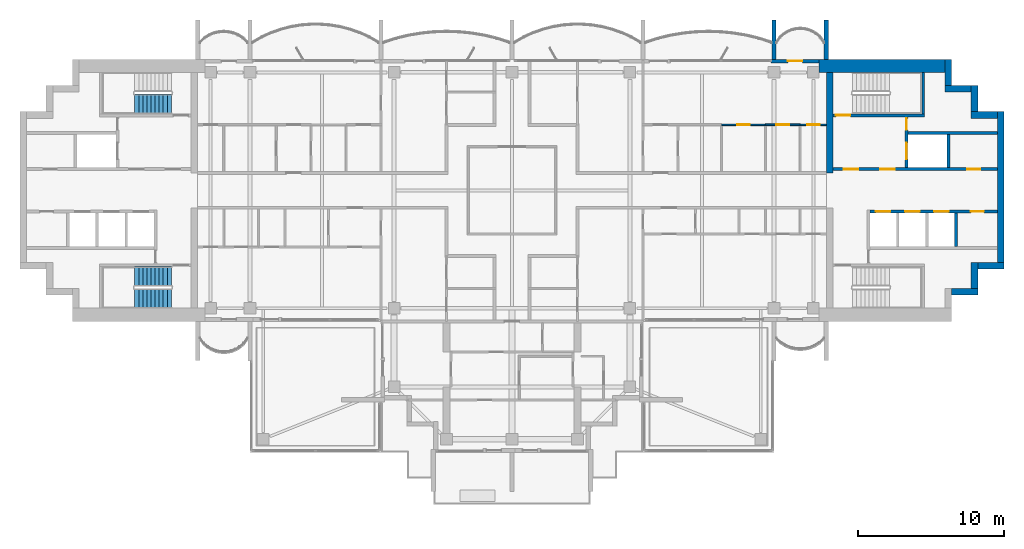
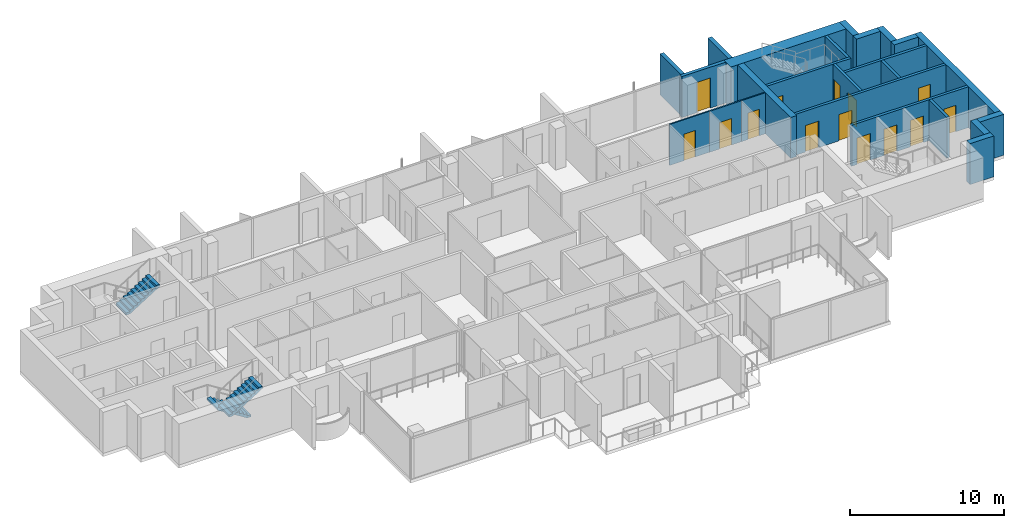
# One storey, part 11 of 16: 24 walls, 14 doors, 3 stair flights, 14 openings, 2 elements without a shape of their own.
"""IFC4 building model written with IfcOpenShell, lengths in metres."""

from ifc_helpers import new_model, si_unit, direction, frame, frame_2d, origin, place, context, subcontext, project, spatial, polyline, rectangle, outline, extrude, material, layer, layer_set, type_object, element, fill, aggregate, save


model = new_model("IFC4")

# Units and contexts
model_context = context("Model", 3, precision=1e-05, world=origin(), true_north=direction((0.0, 1.0)))
body_context = subcontext(model_context, "Body", "Model", "MODEL_VIEW")
ifc_project = project(units=[si_unit("LENGTHUNIT", "METRE"), si_unit("AREAUNIT", "SQUARE_METRE"), si_unit("VOLUMEUNIT", "CUBIC_METRE"), si_unit("PLANEANGLEUNIT", "RADIAN"), si_unit("MASSUNIT", "GRAM", prefix="KILO")], contexts=[model_context])

# Site, building, storey
site_placement = place(None, origin())
site = spatial("IfcSite", under=ifc_project, at=site_placement, CompositionType="ELEMENT")
building_placement = place(site_placement, origin())
building = spatial("IfcBuilding", under=site, at=building_placement, Name="Perihelion Cross Residences", CompositionType="ELEMENT")
storey_placement = place(building_placement, frame((0.0, 0.0, 232.5)))
storey = spatial("IfcBuildingStorey", under=building, at=storey_placement, Name="L58", CompositionType="ELEMENT", Elevation=232.5)

# Wall, opening, door
ifc_material_1 = material(Name="Concrete C30/37, bronze-clad", Category="concrete")
ifc_layer_1 = layer(ifc_material_1, 0.25)
ifc_layer_set_1 = layer_set([ifc_layer_1], Name="Bronze-clad pier wall 250")
wall_type_1 = type_object("IfcWallType", Name="Bronze-clad pier wall 250", PredefinedType="SOLIDWALL", material=ifc_layer_set_1)
wall_1_placement = place(storey_placement, frame((21.10009765625, 8.875, 0.0), z_axis=(0.0, 0.0, 1.0), x_axis=(-1.0, 0.0, 0.0)))
wall_1 = element("IfcWall", 1, at=wall_1_placement, inside=storey, type_object=wall_type_1, Name="Wall FW1 L58 east side north bay 1 pier", PredefinedType="SOLIDWALL", context=body_context, shape_type="SweptSolid", body=[
    extrude(rectangle(XDim=3.300048828125, YDim=0.25, at=frame_2d((1.64990234375, 0.0))), origin(), (0.0, 0.0, 1.0), 3.25),
])
opening_1_placement = place(wall_1_placement, frame((1.14990234375, 0.0, 0.0)))
opening_1 = element("IfcOpeningElement", 2, at=opening_1_placement, cuts=wall_1, Name="Opening L58.E01", PredefinedType="OPENING", context=body_context, shape_type="SweptSolid", body=[
    extrude(rectangle(XDim=1.0, YDim=2.39990234375, at=frame_2d((0.5, 1.199951171875))), frame((0.0, 0.135009765625, 0.0), z_axis=(0.0, -1.0, 0.0), x_axis=(1.0, 0.0, 0.0)), (0.0, 0.0, 1.0), 0.27001953125),
])
ifc_material_2 = material(Name="Bronze anodised aluminium, glazed", Category="aluminium")
door_type_1 = type_object("IfcDoorType", Name="Balcony door 1000 x 2400", OperationType="NOTDEFINED", PredefinedType="DOOR", material=ifc_material_2)
door_1_placement = place(opening_1_placement, origin())
door_1 = element("IfcDoor", 3, at=door_1_placement, inside=storey, type_object=door_type_1, Name="Door L58.E01 east side north bay 1", OperationType="SINGLE_SWING_LEFT", OverallHeight=2.39990234375, OverallWidth=1.0, PredefinedType="DOOR", context=body_context, shape_type="SweptSolid", body=[
    extrude(rectangle(XDim=1.0, YDim=2.39990234375, at=frame_2d((0.5, 1.199951171875))), frame((0.0, 0.02490234375, 0.0), z_axis=(0.0, -1.0, 0.0), x_axis=(1.0, 0.0, 0.0)), (0.0, 0.0, 1.0), 0.050048828125),
])
fill(opening_1, door_1)

# Walls
ifc_material_3 = material(Name="Concrete C60/75", Category="concrete")
ifc_layer_2 = layer(ifc_material_3, 0.449951171875)
ifc_layer_set_2 = layer_set([ifc_layer_2], Name="Core wall, inner 450")
wall_type_2 = type_object("IfcWallType", Name="Core wall, inner 450", PredefinedType="SHEAR", material=ifc_layer_set_2)
wall_2_placement = place(storey_placement, frame((21.824951171875, 1.199951171875, 0.0), z_axis=(0.0, 0.0, 1.0), x_axis=(0.0, 1.0, 0.0)))
element("IfcWall", 4, at=wall_2_placement, inside=storey, type_object=wall_type_2, Name="East core core wall, inner", PredefinedType="SHEAR", context=body_context, shape_type="SweptSolid", body=[
    extrude(rectangle(XDim=6.900146484375, YDim=0.449951171875, at=frame_2d((3.4501953125, 0.0))), origin(), (0.0, 0.0, 1.0), 3.25),
])
ifc_material_4 = material(Name="Concrete C60/75", Category="concrete")
ifc_layer_3 = layer(ifc_material_4, 0.449951171875)
ifc_layer_set_3 = layer_set([ifc_layer_3], Name="Core wall, outer 450")
wall_type_3 = type_object("IfcWallType", Name="Core wall, outer 450", PredefinedType="SHEAR", material=ifc_layer_set_3)
for number, where, z_axis, x_axis, name in (
    (5, (30.199951171875, -6.97509765625, 0.0), (0.0, 0.0, 1.0), (1.0, 0.0, 0.0), "East core core wall, outer"),
    (6, (31.77490234375, -6.75, 0.0), (0.0, 0.0, 1.0), (0.0, 1.0, 0.0), "East core core wall, outer"),
    (7, (32.0, -5.175048828125, 0.0), (0.0, 0.0, 1.0), (1.0, 0.0, 0.0), "East core core wall, outer"),
):
    element("IfcWall", number, at=place(storey_placement, frame(where, z_axis=z_axis, x_axis=x_axis)), inside=storey, type_object=wall_type_3, Name=name, PredefinedType="SHEAR", context=body_context, shape_type="SweptSolid", body=[
        extrude(rectangle(XDim=1.800048828125, YDim=0.449951171875, at=frame_2d((0.89990234375, 0.0))), origin(), (0.0, 0.0, 1.0), 3.25),
    ])
wall_3_placement = place(storey_placement, frame((33.574951171875, -4.949951171875, 0.0), z_axis=(0.0, 0.0, 1.0), x_axis=(0.0, 1.0, 0.0)))
element("IfcWall", 8, at=wall_3_placement, inside=storey, type_object=wall_type_3, Name="East core core wall, outer", PredefinedType="SHEAR", context=body_context, shape_type="SweptSolid", body=[
    extrude(rectangle(XDim=10.349853515625, YDim=0.449951171875, at=frame_2d((5.1748046875, 0.0))), origin(), (0.0, 0.0, 1.0), 3.25),
])
for number, where, z_axis, x_axis, name in (
    (9, (31.550048828125, 5.175048828125, 0.0), (0.0, 0.0, 1.0), (1.0, 0.0, 0.0), "East core core wall, outer"),
    (10, (31.77490234375, 5.39990234375, 0.0), (0.0, 0.0, 1.0), (0.0, 1.0, 0.0), "East core core wall, outer"),
    (11, (29.75, 6.97509765625, 0.0), (0.0, 0.0, 1.0), (1.0, 0.0, 0.0), "East core core wall, outer"),
    (12, (29.97509765625, 7.199951171875, 0.0), (0.0, 0.0, 1.0), (0.0, 1.0, 0.0), "East core core wall, outer"),
):
    element("IfcWall", number, at=place(storey_placement, frame(where, z_axis=z_axis, x_axis=x_axis)), inside=storey, type_object=wall_type_3, Name=name, PredefinedType="SHEAR", context=body_context, shape_type="SweptSolid", body=[
        extrude(rectangle(XDim=1.800048828125, YDim=0.449951171875, at=frame_2d((0.89990234375, 0.0))), origin(), (0.0, 0.0, 1.0), 3.25),
    ])
ifc_material_5 = material(Name="Concrete C60/75", Category="concrete")
ifc_layer_4 = layer(ifc_material_5, 0.89990234375)
ifc_layer_set_4 = layer_set([ifc_layer_4], Name="Core wall, outer 900")
wall_type_4 = type_object("IfcWallType", Name="Core wall, outer 900", PredefinedType="SHEAR", material=ifc_layer_set_4)
wall_4_placement = place(storey_placement, frame((21.10009765625, 8.550048828125, 0.0), z_axis=(0.0, 0.0, 1.0), x_axis=(1.0, 0.0, 0.0)))
element("IfcWall", 13, at=wall_4_placement, inside=storey, type_object=wall_type_4, Name="East core core wall, outer", PredefinedType="SHEAR", context=body_context, shape_type="SweptSolid", body=[
    extrude(rectangle(XDim=8.64990234375, YDim=0.89990234375, at=frame_2d((4.324951171875, 0.0))), origin(), (0.0, 0.0, 1.0), 3.25),
])

# Wall, opening, door
ifc_material_6 = material(Name="Plasterboard partition")
ifc_layer_5 = layer(ifc_material_6, 0.1201171875)
ifc_layer_set_5 = layer_set([ifc_layer_5], Name="Partition wall 120")
wall_type_5 = type_object("IfcWallType", Name="Partition wall 120", PredefinedType="PARTITIONING", material=ifc_layer_set_5)
wall_5_placement = place(storey_placement, frame((17.39990234375, 4.5, 0.0), z_axis=(0.0, 0.0, 1.0), x_axis=(1.0, 0.0, 0.0)))
wall_5 = element("IfcWall", 14, at=wall_5_placement, inside=storey, type_object=wall_type_5, Name="Partition L58 W029", PredefinedType="PARTITIONING", context=body_context, shape_type="SweptSolid", body=[
    extrude(rectangle(XDim=2.400146484375, YDim=0.1201171875, at=frame_2d((1.2001953125, 0.0))), origin(), (0.0, 0.0, 1.0), 3.25),
])
opening_2_placement = place(wall_5_placement, frame((0.75, 0.0, 0.0)))
opening_2 = element("IfcOpeningElement", 15, at=opening_2_placement, cuts=wall_5, Name="Opening L58.A08", PredefinedType="OPENING", context=body_context, shape_type="SweptSolid", body=[
    extrude(rectangle(XDim=0.89990234375, YDim=2.10009765625, at=frame_2d((0.449951171875, 1.050048828125))), frame((0.0, 0.070068359375, 0.0), z_axis=(0.0, -1.0, 0.0), x_axis=(1.0, 0.0, 0.0)), (0.0, 0.0, 1.0), 0.14013671875),
])
ifc_material_7 = material(Name="Timber door leaf", Category="wood")
door_type_2 = type_object("IfcDoorType", Name="Interior room door 900 x 2100", OperationType="SINGLE_SWING_LEFT", PredefinedType="DOOR", material=ifc_material_7)
door_2_placement = place(opening_2_placement, origin())
door_2 = element("IfcDoor", 16, at=door_2_placement, inside=storey, type_object=door_type_2, Name="Door L58.A08", OperationType="SINGLE_SWING_LEFT", OverallHeight=2.10009765625, OverallWidth=0.89990234375, PredefinedType="DOOR", context=body_context, shape_type="SweptSolid", body=[
    extrude(rectangle(XDim=0.89990234375, YDim=2.10009765625, at=frame_2d((0.449951171875, 1.050048828125))), frame((0.0, 0.02490234375, 0.0), z_axis=(0.0, -1.0, 0.0), x_axis=(1.0, 0.0, 0.0)), (0.0, 0.0, 1.0), 0.050048828125),
])
fill(opening_2, door_2)

# Walls
ifc_material_8 = material(Name="Precast concrete C50/60", Category="concrete")
ifc_layer_6 = layer(ifc_material_8, 0.300048828125)
ifc_layer_set_6 = layer_set([ifc_layer_6], Name="Precast concrete C50/60 blade wall 300")
wall_type_6 = type_object("IfcWallType", Name="Precast concrete C50/60 blade wall 300", PredefinedType="SOLIDWALL", material=ifc_layer_set_6)
for number, where, z_axis, x_axis, name in (
    (17, (18.0, 9.0, 0.0), (0.0, 0.0, 1.0), (0.0, 1.0, 0.0), "Wall BL1 L58 no. 11"),
    (18, (21.60009765625, 9.0, 0.0), (0.0, 0.0, 1.0), (0.0, 1.0, 0.0), "Wall BL1 L58 no. 13"),
):
    element("IfcWall", number, at=place(storey_placement, frame(where, z_axis=z_axis, x_axis=x_axis)), inside=storey, type_object=wall_type_6, Name=name, PredefinedType="SOLIDWALL", context=body_context, shape_type="SweptSolid", body=[
        extrude(rectangle(XDim=2.699951171875, YDim=0.300048828125, at=frame_2d((1.35009765625, 0.0))), origin(), (0.0, 0.0, 1.0), 3.25),
    ])

# Wall, openings, doors
ifc_material_9 = material(Name="Concrete C50/60", Category="concrete")
ifc_layer_7 = layer(ifc_material_9, 0.199951171875)
ifc_layer_set_7 = layer_set([ifc_layer_7], Name="Shaft wall 200")
wall_type_7 = type_object("IfcWallType", Name="Shaft wall 200", PredefinedType="SOLIDWALL", material=ifc_layer_set_7)
wall_6_placement = place(storey_placement, frame((22.050048828125, 1.449951171875, 0.0), z_axis=(0.0, 0.0, 1.0), x_axis=(1.0, 0.0, 0.0)))
wall_6 = element("IfcWall", 19, at=wall_6_placement, inside=storey, type_object=wall_type_7, Name="East core shaft wall", PredefinedType="SOLIDWALL", context=body_context, shape_type="SweptSolid", body=[
    extrude(rectangle(XDim=11.300048828125, YDim=0.199951171875, at=frame_2d((5.64990234375, 0.0))), origin(), (0.0, 0.0, 1.0), 3.25),
])
opening_3_placement = place(wall_6_placement, frame((0.75, 0.0, 0.0)))
opening_3 = element("IfcOpeningElement", 20, at=opening_3_placement, cuts=wall_6, Name="Opening L58.C07", PredefinedType="OPENING", context=body_context, shape_type="SweptSolid", body=[
    extrude(rectangle(XDim=1.0, YDim=2.10009765625, at=frame_2d((0.5, 1.050048828125))), frame((0.0, 0.10986328125, 0.0), z_axis=(0.0, -1.0, 0.0), x_axis=(1.0, 0.0, 0.0)), (0.0, 0.0, 1.0), 0.219970703125),
])
opening_4_placement = place(wall_6_placement, frame((3.25, 0.0, 0.0)))
opening_4 = element("IfcOpeningElement", 21, at=opening_4_placement, cuts=wall_6, Name="Opening L58.C09", PredefinedType="OPENING", context=body_context, shape_type="SweptSolid", body=[
    extrude(rectangle(XDim=1.0, YDim=2.10009765625, at=frame_2d((0.5, 1.050048828125))), frame((0.0, 0.10986328125, 0.0), z_axis=(0.0, -1.0, 0.0), x_axis=(1.0, 0.0, 0.0)), (0.0, 0.0, 1.0), 0.219970703125),
])
opening_5_placement = place(wall_6_placement, frame((9.22509765625, 0.0, 0.0)))
opening_5 = element("IfcOpeningElement", 22, at=opening_5_placement, cuts=wall_6, Name="Opening L58.C11", PredefinedType="OPENING", context=body_context, shape_type="SweptSolid", body=[
    extrude(rectangle(XDim=0.89990234375, YDim=2.10009765625, at=frame_2d((0.449951171875, 1.050048828125))), frame((0.0, 0.10986328125, 0.0), z_axis=(0.0, -1.0, 0.0), x_axis=(1.0, 0.0, 0.0)), (0.0, 0.0, 1.0), 0.219970703125),
])
ifc_material_10 = material(Name="Steel, powder coated", Category="steel")
door_type_3 = type_object("IfcDoorType", Name="Lobby door 1000", OperationType="SINGLE_SWING_LEFT", PredefinedType="DOOR", material=ifc_material_10)
door_3_placement = place(opening_3_placement, origin())
door_3 = element("IfcDoor", 23, at=door_3_placement, inside=storey, type_object=door_type_3, Name="East core firefighting lobby door", OperationType="SINGLE_SWING_LEFT", OverallHeight=2.10009765625, OverallWidth=1.0, PredefinedType="DOOR", context=body_context, shape_type="SweptSolid", body=[
    extrude(rectangle(XDim=1.0, YDim=2.10009765625, at=frame_2d((0.5, 1.050048828125))), frame((0.0, 0.02490234375, 0.0), z_axis=(0.0, -1.0, 0.0), x_axis=(1.0, 0.0, 0.0)), (0.0, 0.0, 1.0), 0.050048828125),
])
fill(opening_3, door_3)
door_4_placement = place(opening_4_placement, origin())
door_4 = element("IfcDoor", 24, at=door_4_placement, inside=storey, type_object=door_type_3, Name="East core firefighting lobby door", OperationType="SINGLE_SWING_LEFT", OverallHeight=2.10009765625, OverallWidth=1.0, PredefinedType="DOOR", context=body_context, shape_type="SweptSolid", body=[
    extrude(rectangle(XDim=1.0, YDim=2.10009765625, at=frame_2d((0.5, 1.050048828125))), frame((0.0, 0.02490234375, 0.0), z_axis=(0.0, -1.0, 0.0), x_axis=(1.0, 0.0, 0.0)), (0.0, 0.0, 1.0), 0.050048828125),
])
fill(opening_4, door_4)
ifc_material_11 = material(Name="Steel, powder coated", Category="steel")
door_type_4 = type_object("IfcDoorType", Name="Service room door 900", OperationType="SINGLE_SWING_LEFT", PredefinedType="DOOR", material=ifc_material_11)
door_5_placement = place(opening_5_placement, origin())
door_5 = element("IfcDoor", 25, at=door_5_placement, inside=storey, type_object=door_type_4, Name="East core service room door", OperationType="SINGLE_SWING_LEFT", OverallHeight=2.10009765625, OverallWidth=0.89990234375, PredefinedType="DOOR", context=body_context, shape_type="SweptSolid", body=[
    extrude(rectangle(XDim=0.89990234375, YDim=2.10009765625, at=frame_2d((0.449951171875, 1.050048828125))), frame((0.0, 0.02490234375, 0.0), z_axis=(0.0, -1.0, 0.0), x_axis=(1.0, 0.0, 0.0)), (0.0, 0.0, 1.0), 0.050048828125),
])
fill(opening_5, door_5)

wall_7_placement = place(storey_placement, frame((24.60009765625, -1.449951171875, 0.0), z_axis=(0.0, 0.0, 1.0), x_axis=(1.0, 0.0, 0.0)))
wall_7 = element("IfcWall", 26, at=wall_7_placement, inside=storey, type_object=wall_type_7, Name="East core shaft wall", PredefinedType="SOLIDWALL", context=body_context, shape_type="SweptSolid", body=[
    extrude(rectangle(XDim=8.75, YDim=0.199951171875, at=frame_2d((4.375, 0.0))), origin(), (0.0, 0.0, 1.0), 3.25),
])
opening_6_placement = place(wall_7_placement, frame((0.39990234375, 0.0, 0.0)))
opening_6 = element("IfcOpeningElement", 27, at=opening_6_placement, cuts=wall_7, Name="Opening L58.C01", PredefinedType="OPENING", context=body_context, shape_type="SweptSolid", body=[
    extrude(rectangle(XDim=1.0, YDim=2.10009765625, at=frame_2d((0.5, 1.050048828125))), frame((0.0, 0.10986328125, 0.0), z_axis=(0.0, -1.0, 0.0), x_axis=(1.0, 0.0, 0.0)), (0.0, 0.0, 1.0), 0.219970703125),
])
opening_7_placement = place(wall_7_placement, frame((2.39990234375, 0.0, 0.0)))
opening_7 = element("IfcOpeningElement", 28, at=opening_7_placement, cuts=wall_7, Name="Opening L58.C03", PredefinedType="OPENING", context=body_context, shape_type="SweptSolid", body=[
    extrude(rectangle(XDim=1.0, YDim=2.10009765625, at=frame_2d((0.5, 1.050048828125))), frame((0.0, 0.10986328125, 0.0), z_axis=(0.0, -1.0, 0.0), x_axis=(1.0, 0.0, 0.0)), (0.0, 0.0, 1.0), 0.219970703125),
])
opening_8_placement = place(wall_7_placement, frame((4.39990234375, 0.0, 0.0)))
opening_8 = element("IfcOpeningElement", 29, at=opening_8_placement, cuts=wall_7, Name="Opening L58.C04", PredefinedType="OPENING", context=body_context, shape_type="SweptSolid", body=[
    extrude(rectangle(XDim=1.0, YDim=2.10009765625, at=frame_2d((0.5, 1.050048828125))), frame((0.0, 0.10986328125, 0.0), z_axis=(0.0, -1.0, 0.0), x_axis=(1.0, 0.0, 0.0)), (0.0, 0.0, 1.0), 0.219970703125),
])
opening_9_placement = place(wall_7_placement, frame((6.925048828125, 0.0, 0.0)))
opening_9 = element("IfcOpeningElement", 30, at=opening_9_placement, cuts=wall_7, Name="Opening L58.C12", PredefinedType="OPENING", context=body_context, shape_type="SweptSolid", body=[
    extrude(rectangle(XDim=0.89990234375, YDim=2.10009765625, at=frame_2d((0.449951171875, 1.050048828125))), frame((0.0, 0.10986328125, 0.0), z_axis=(0.0, -1.0, 0.0), x_axis=(1.0, 0.0, 0.0)), (0.0, 0.0, 1.0), 0.219970703125),
])
ifc_material_12 = material(Name="Stainless steel", Category="steel")
door_type_5 = type_object("IfcDoorType", Name="Landing door 1000", OperationType="DOUBLE_DOOR_SLIDING", PredefinedType="DOOR", material=ifc_material_12)
door_6_placement = place(opening_6_placement, origin())
door_6 = element("IfcDoor", 31, at=door_6_placement, inside=storey, type_object=door_type_5, Name="Landing door, East core high-rise lift 1", OperationType="DOUBLE_DOOR_SLIDING", OverallHeight=2.10009765625, OverallWidth=1.0, PredefinedType="DOOR", context=body_context, shape_type="SweptSolid", body=[
    extrude(rectangle(XDim=1.0, YDim=2.10009765625, at=frame_2d((0.5, 1.050048828125))), frame((0.0, 0.02490234375, 0.0), z_axis=(0.0, -1.0, 0.0), x_axis=(1.0, 0.0, 0.0)), (0.0, 0.0, 1.0), 0.050048828125),
])
fill(opening_6, door_6)
door_7_placement = place(opening_7_placement, origin())
door_7 = element("IfcDoor", 32, at=door_7_placement, inside=storey, type_object=door_type_5, Name="Landing door, East core high-rise lift 2", OperationType="DOUBLE_DOOR_SLIDING", OverallHeight=2.10009765625, OverallWidth=1.0, PredefinedType="DOOR", context=body_context, shape_type="SweptSolid", body=[
    extrude(rectangle(XDim=1.0, YDim=2.10009765625, at=frame_2d((0.5, 1.050048828125))), frame((0.0, 0.02490234375, 0.0), z_axis=(0.0, -1.0, 0.0), x_axis=(1.0, 0.0, 0.0)), (0.0, 0.0, 1.0), 0.050048828125),
])
fill(opening_7, door_7)
door_8_placement = place(opening_8_placement, origin())
door_8 = element("IfcDoor", 33, at=door_8_placement, inside=storey, type_object=door_type_5, Name="Landing door, East core high-rise lift 3", OperationType="DOUBLE_DOOR_SLIDING", OverallHeight=2.10009765625, OverallWidth=1.0, PredefinedType="DOOR", context=body_context, shape_type="SweptSolid", body=[
    extrude(rectangle(XDim=1.0, YDim=2.10009765625, at=frame_2d((0.5, 1.050048828125))), frame((0.0, 0.02490234375, 0.0), z_axis=(0.0, -1.0, 0.0), x_axis=(1.0, 0.0, 0.0)), (0.0, 0.0, 1.0), 0.050048828125),
])
fill(opening_8, door_8)
door_9_placement = place(opening_9_placement, origin())
door_9 = element("IfcDoor", 34, at=door_9_placement, inside=storey, type_object=door_type_4, Name="East core service room door", OperationType="SINGLE_SWING_LEFT", OverallHeight=2.10009765625, OverallWidth=0.89990234375, PredefinedType="DOOR", context=body_context, shape_type="SweptSolid", body=[
    extrude(rectangle(XDim=0.89990234375, YDim=2.10009765625, at=frame_2d((0.449951171875, 1.050048828125))), frame((0.0, 0.02490234375, 0.0), z_axis=(0.0, -1.0, 0.0), x_axis=(1.0, 0.0, 0.0)), (0.0, 0.0, 1.0), 0.050048828125),
])
fill(opening_9, door_9)

# Wall
wall_8_placement = place(storey_placement, frame((27.199951171875, 3.949951171875, 0.0), z_axis=(0.0, 0.0, 1.0), x_axis=(1.0, 0.0, 0.0)))
element("IfcWall", 35, at=wall_8_placement, inside=storey, type_object=wall_type_7, Name="East core shaft wall", PredefinedType="SOLIDWALL", context=body_context, shape_type="SweptSolid", body=[
    extrude(rectangle(XDim=6.150146484375, YDim=0.199951171875, at=frame_2d((3.0751953125, 0.0))), origin(), (0.0, 0.0, 1.0), 3.25),
])

# Wall, openings, doors
wall_9_placement = place(storey_placement, frame((27.10009765625, 1.550048828125, 0.0), z_axis=(0.0, 0.0, 1.0), x_axis=(0.0, 1.0, 0.0)))
wall_9 = element("IfcWall", 36, at=wall_9_placement, inside=storey, type_object=wall_type_7, Name="East core shaft wall", PredefinedType="SOLIDWALL", context=body_context, shape_type="SweptSolid", body=[
    extrude(rectangle(XDim=3.5, YDim=0.199951171875, at=frame_2d((1.75, 0.0))), origin(), (0.0, 0.0, 1.0), 3.25),
])
opening_10_placement = place(wall_9_placement, frame((0.60009765625, 0.0, 0.0)))
opening_10 = element("IfcOpeningElement", 37, at=opening_10_placement, cuts=wall_9, Name="Opening L58.C02", PredefinedType="OPENING", context=body_context, shape_type="SweptSolid", body=[
    extrude(rectangle(XDim=1.10009765625, YDim=2.10009765625, at=frame_2d((0.550048828125, 1.050048828125))), frame((0.0, 0.10986328125, 0.0), z_axis=(0.0, -1.0, 0.0), x_axis=(1.0, 0.0, 0.0)), (0.0, 0.0, 1.0), 0.219970703125),
])
opening_11_placement = place(wall_9_placement, frame((2.60009765625, 0.0, 0.0)))
opening_11 = element("IfcOpeningElement", 38, at=opening_11_placement, cuts=wall_9, Name="Opening L58.C10", PredefinedType="OPENING", context=body_context, shape_type="SweptSolid", body=[
    extrude(rectangle(XDim=0.800048828125, YDim=2.10009765625, at=frame_2d((0.39990234375, 1.050048828125))), frame((0.0, 0.10986328125, 0.0), z_axis=(0.0, -1.0, 0.0), x_axis=(1.0, 0.0, 0.0)), (0.0, 0.0, 1.0), 0.219970703125),
])
ifc_material_13 = material(Name="Stainless steel", Category="steel")
door_type_6 = type_object("IfcDoorType", Name="Landing door, firefighting lift 1100", OperationType="DOUBLE_DOOR_SLIDING", PredefinedType="DOOR", material=ifc_material_13)
door_10_placement = place(opening_10_placement, origin())
door_10 = element("IfcDoor", 39, at=door_10_placement, inside=storey, type_object=door_type_6, Name="Landing door, East core firefighting and service lift", OperationType="DOUBLE_DOOR_SLIDING", OverallHeight=2.10009765625, OverallWidth=1.10009765625, PredefinedType="DOOR", context=body_context, shape_type="SweptSolid", body=[
    extrude(rectangle(XDim=1.10009765625, YDim=2.10009765625, at=frame_2d((0.550048828125, 1.050048828125))), frame((0.0, 0.02490234375, 0.0), z_axis=(0.0, -1.0, 0.0), x_axis=(1.0, 0.0, 0.0)), (0.0, 0.0, 1.0), 0.050048828125),
])
fill(opening_10, door_10)
ifc_material_14 = material(Name="Steel, powder coated", Category="steel")
door_type_7 = type_object("IfcDoorType", Name="Riser door 800", OperationType="SINGLE_SWING_LEFT", PredefinedType="DOOR", material=ifc_material_14)
door_11_placement = place(opening_11_placement, origin())
door_11 = element("IfcDoor", 40, at=door_11_placement, inside=storey, type_object=door_type_7, Name="East core riser door", OperationType="SINGLE_SWING_LEFT", OverallHeight=2.10009765625, OverallWidth=0.800048828125, PredefinedType="DOOR", context=body_context, shape_type="SweptSolid", body=[
    extrude(rectangle(XDim=0.800048828125, YDim=2.10009765625, at=frame_2d((0.39990234375, 1.050048828125))), frame((0.0, 0.02490234375, 0.0), z_axis=(0.0, -1.0, 0.0), x_axis=(1.0, 0.0, 0.0)), (0.0, 0.0, 1.0), 0.050048828125),
])
fill(opening_11, door_11)

# Walls
for number, where, z_axis, x_axis, name in (
    (41, (30.0, 1.550048828125, 0.0), (0.0, 0.0, 1.0), (0.0, 1.0, 0.0), "East core shaft wall"),
    (42, (30.5, -3.85009765625, 0.0), (0.0, 0.0, 1.0), (0.0, 1.0, 0.0), "East core shaft wall"),
):
    element("IfcWall", number, at=place(storey_placement, frame(where, z_axis=z_axis, x_axis=x_axis)), inside=storey, type_object=wall_type_7, Name=name, PredefinedType="SOLIDWALL", context=body_context, shape_type="SweptSolid", body=[
        extrude(rectangle(XDim=2.300048828125, YDim=0.199951171875, at=frame_2d((1.14990234375, 0.0))), origin(), (0.0, 0.0, 1.0), 3.25),
    ])

# Wall, opening, door
ifc_material_15 = material(Name="Concrete C50/60", Category="concrete")
ifc_layer_8 = layer(ifc_material_15, 0.199951171875)
ifc_layer_set_8 = layer_set([ifc_layer_8], Name="Stair wall 200")
wall_type_8 = type_object("IfcWallType", Name="Stair wall 200", PredefinedType="SOLIDWALL", material=ifc_layer_set_8)
wall_10_placement = place(storey_placement, frame((22.050048828125, 5.14990234375, 0.0), z_axis=(0.0, 0.0, 1.0), x_axis=(1.0, 0.0, 0.0)))
wall_10 = element("IfcWall", 43, at=wall_10_placement, inside=storey, type_object=wall_type_8, Name="East core stair wall", PredefinedType="SOLIDWALL", context=body_context, shape_type="SweptSolid", body=[
    extrude(rectangle(XDim=6.300048828125, YDim=0.199951171875, at=frame_2d((3.14990234375, 0.0))), origin(), (0.0, 0.0, 1.0), 3.25),
])
opening_12_placement = place(wall_10_placement, frame((0.199951171875, 0.0, 0.0)))
opening_12 = element("IfcOpeningElement", 44, at=opening_12_placement, cuts=wall_10, Name="Opening L58.C06", PredefinedType="OPENING", context=body_context, shape_type="SweptSolid", body=[
    extrude(rectangle(XDim=1.0, YDim=2.10009765625, at=frame_2d((0.5, 1.050048828125))), frame((0.0, 0.10986328125, 0.0), z_axis=(0.0, -1.0, 0.0), x_axis=(1.0, 0.0, 0.0)), (0.0, 0.0, 1.0), 0.219970703125),
])
ifc_material_16 = material(Name="Steel, powder coated", Category="steel")
door_type_8 = type_object("IfcDoorType", Name="Stair door 1000", OperationType="SINGLE_SWING_LEFT", PredefinedType="DOOR", material=ifc_material_16)
door_12_placement = place(opening_12_placement, origin())
door_12 = element("IfcDoor", 45, at=door_12_placement, inside=storey, type_object=door_type_8, Name="East core stair door", OperationType="SINGLE_SWING_LEFT", OverallHeight=2.10009765625, OverallWidth=1.0, PredefinedType="DOOR", context=body_context, shape_type="SweptSolid", body=[
    extrude(rectangle(XDim=1.0, YDim=2.10009765625, at=frame_2d((0.5, 1.050048828125))), frame((0.0, 0.02490234375, 0.0), z_axis=(0.0, -1.0, 0.0), x_axis=(1.0, 0.0, 0.0)), (0.0, 0.0, 1.0), 0.050048828125),
])
fill(opening_12, door_12)

# Wall
wall_11_placement = place(storey_placement, frame((28.25, 5.25, 0.0), z_axis=(0.0, 0.0, 1.0), x_axis=(0.0, 1.0, 0.0)))
element("IfcWall", 46, at=wall_11_placement, inside=storey, type_object=wall_type_8, Name="East core stair wall", PredefinedType="SOLIDWALL", context=body_context, shape_type="SweptSolid", body=[
    extrude(rectangle(XDim=2.85009765625, YDim=0.199951171875, at=frame_2d((1.425048828125, 0.0))), origin(), (0.0, 0.0, 1.0), 3.25),
])

# Wall, opening, door
ifc_material_17 = material(Name="Plasterboard partition")
ifc_layer_9 = layer(ifc_material_17, 0.10009765625)
ifc_layer_set_9 = layer_set([ifc_layer_9], Name="Wet room wall 100")
wall_type_9 = type_object("IfcWallType", Name="Wet room wall 100", PredefinedType="PARTITIONING", material=ifc_layer_set_9)
wall_12_placement = place(storey_placement, frame((14.39990234375, 4.5, 0.0), z_axis=(0.0, 0.0, 1.0), x_axis=(1.0, 0.0, 0.0)))
wall_12 = element("IfcWall", 47, at=wall_12_placement, inside=storey, type_object=wall_type_9, Name="Partition L58 W027", PredefinedType="PARTITIONING", context=body_context, shape_type="SweptSolid", body=[
    extrude(rectangle(XDim=3.0, YDim=0.10009765625, at=frame_2d((1.5, 0.0))), origin(), (0.0, 0.0, 1.0), 3.25),
])
opening_13_placement = place(wall_12_placement, frame((1.074951171875, 0.0, 0.0)))
opening_13 = element("IfcOpeningElement", 48, at=opening_13_placement, cuts=wall_12, Name="Opening L58.A02", PredefinedType="OPENING", context=body_context, shape_type="SweptSolid", body=[
    extrude(rectangle(XDim=0.85009765625, YDim=2.10009765625, at=frame_2d((0.425048828125, 1.050048828125))), frame((0.0, 0.06005859375, 0.0), z_axis=(0.0, -1.0, 0.0), x_axis=(1.0, 0.0, 0.0)), (0.0, 0.0, 1.0), 0.1201171875),
])
ifc_material_18 = material(Name="Timber door leaf", Category="wood")
door_type_9 = type_object("IfcDoorType", Name="Interior bathroom door 850 x 2100", OperationType="SINGLE_SWING_LEFT", PredefinedType="DOOR", material=ifc_material_18)
door_13_placement = place(opening_13_placement, origin())
door_13 = element("IfcDoor", 49, at=door_13_placement, inside=storey, type_object=door_type_9, Name="Door L58.A02", OperationType="SINGLE_SWING_LEFT", OverallHeight=2.10009765625, OverallWidth=0.85009765625, PredefinedType="DOOR", context=body_context, shape_type="SweptSolid", body=[
    extrude(rectangle(XDim=0.85009765625, YDim=2.10009765625, at=frame_2d((0.425048828125, 1.050048828125))), frame((0.0, 0.02490234375, 0.0), z_axis=(0.0, -1.0, 0.0), x_axis=(1.0, 0.0, 0.0)), (0.0, 0.0, 1.0), 0.050048828125),
])
fill(opening_13, door_13)

wall_13_placement = place(storey_placement, frame((19.800048828125, 4.5, 0.0), z_axis=(0.0, 0.0, 1.0), x_axis=(1.0, 0.0, 0.0)))
wall_13 = element("IfcWall", 50, at=wall_13_placement, inside=storey, type_object=wall_type_9, Name="Partition L58 W030", PredefinedType="PARTITIONING", context=body_context, shape_type="SweptSolid", body=[
    extrude(rectangle(XDim=1.800048828125, YDim=0.10009765625, at=frame_2d((0.89990234375, 0.0))), origin(), (0.0, 0.0, 1.0), 3.25),
])
opening_14_placement = place(wall_13_placement, frame((0.47509765625, 0.0, 0.0)))
opening_14 = element("IfcOpeningElement", 51, at=opening_14_placement, cuts=wall_13, Name="Opening L58.A05", PredefinedType="OPENING", context=body_context, shape_type="SweptSolid", body=[
    extrude(rectangle(XDim=0.85009765625, YDim=2.10009765625, at=frame_2d((0.425048828125, 1.050048828125))), frame((0.0, 0.06005859375, 0.0), z_axis=(0.0, -1.0, 0.0), x_axis=(1.0, 0.0, 0.0)), (0.0, 0.0, 1.0), 0.1201171875),
])
door_14_placement = place(opening_14_placement, origin())
door_14 = element("IfcDoor", 52, at=door_14_placement, inside=storey, type_object=door_type_9, Name="Door L58.A05", OperationType="SINGLE_SWING_LEFT", OverallHeight=2.10009765625, OverallWidth=0.85009765625, PredefinedType="DOOR", context=body_context, shape_type="SweptSolid", body=[
    extrude(rectangle(XDim=0.85009765625, YDim=2.10009765625, at=frame_2d((0.425048828125, 1.050048828125))), frame((0.0, 0.02490234375, 0.0), z_axis=(0.0, -1.0, 0.0), x_axis=(1.0, 0.0, 0.0)), (0.0, 0.0, 1.0), 0.050048828125),
])
fill(opening_14, door_14)

# Stair, stair flight
ifc_material_19 = material(Name="Concrete C40/50", Category="concrete")
stair_type = type_object("IfcStairType", Name="Exit stair, half-turn", PredefinedType="HALF_TURN_STAIR", material=ifc_material_19)
stair_1_placement = place(storey_placement, origin())
stair_1 = element("IfcStair", 53, at=stair_1_placement, inside=storey, type_object=stair_type, Name="L58 West core exit stair 1", PredefinedType="HALF_TURN_STAIR")
ifc_material_20 = material(Name="Concrete C40/50", Category="concrete")
stair_flight_type = type_object("IfcStairFlightType", Name="Exit stair flight", PredefinedType="STRAIGHT", material=ifc_material_20)
stair_flight_1_placement = place(storey_placement, frame((-25.919921875, 5.925048828125, 1.75), z_axis=(0.0, 0.0, 1.0), x_axis=(1.0, 0.0, 0.0)))
stair_flight_1 = element("IfcStairFlight", 54, at=stair_flight_1_placement, type_object=stair_flight_type, Name="ST-W1 flight 2", NumberOfRisers=10, NumberOfTreads=9, PredefinedType="STRAIGHT", RiserHeight=0.175, TreadLength=0.28, context=body_context, shape_type="SweptSolid", body=[
    extrude(outline(polyline([(0.0, 0.0), (0.0, 0.175048828125), (0.280029296875, 0.175048828125), (0.280029296875, 0.35009765625), (0.56005859375, 0.35009765625), (0.56005859375, 0.52490234375), (0.840087890625, 0.52490234375), (0.840087890625, 0.699951171875), (1.1201171875, 0.699951171875), (1.1201171875, 0.875), (1.39990234375, 0.875), (1.39990234375, 1.050048828125), (1.679931640625, 1.050048828125), (1.679931640625, 1.22509765625), (1.9599609375, 1.22509765625), (1.9599609375, 1.39990234375), (2.239990234375, 1.39990234375), (2.239990234375, 1.574951171875), (2.52001953125, 1.574951171875), (2.52001953125, 1.75), (2.52001953125, 1.398193359375), (0.28271484375, 0.0), (0.0, 0.0)])), frame((0.0, 0.675048828125, 0.0), z_axis=(0.0, -1.0, 0.0), x_axis=(1.0, 0.0, 0.0)), (0.0, 0.0, 1.0), 1.35009765625),
])
aggregate(stair_1, [stair_flight_1])

# Stair, stair flights
stair_2_placement = place(storey_placement, origin())
stair_2 = element("IfcStair", 55, at=stair_2_placement, inside=storey, type_object=stair_type, Name="L58 West core exit stair 2", PredefinedType="HALF_TURN_STAIR")
stair_flight_2_placement = place(storey_placement, frame((-23.39990234375, -5.925048828125, 0.0), z_axis=(0.0, 0.0, 1.0), x_axis=(-1.0, 0.0, 0.0)))
stair_flight_2 = element("IfcStairFlight", 56, at=stair_flight_2_placement, type_object=stair_flight_type, Name="ST-W2 flight 1", NumberOfRisers=10, NumberOfTreads=9, PredefinedType="STRAIGHT", RiserHeight=0.175, TreadLength=0.28, context=body_context, shape_type="SweptSolid", body=[
    extrude(outline(polyline([(0.0, 0.0), (0.0, 0.175048828125), (0.280029296875, 0.175048828125), (0.280029296875, 0.35009765625), (0.56005859375, 0.35009765625), (0.56005859375, 0.52490234375), (0.840087890625, 0.52490234375), (0.840087890625, 0.699951171875), (1.1201171875, 0.699951171875), (1.1201171875, 0.875), (1.39990234375, 0.875), (1.39990234375, 1.050048828125), (1.679931640625, 1.050048828125), (1.679931640625, 1.22509765625), (1.9599609375, 1.22509765625), (1.9599609375, 1.39990234375), (2.239990234375, 1.39990234375), (2.239990234375, 1.574951171875), (2.52001953125, 1.574951171875), (2.52001953125, 1.75), (2.52001953125, 1.398193359375), (0.28271484375, 0.0), (0.0, 0.0)])), frame((0.0, 0.675048828125, 0.0), z_axis=(0.0, -1.0, 0.0), x_axis=(1.0, 0.0, 0.0)), (0.0, 0.0, 1.0), 1.35009765625),
])
stair_flight_3_placement = place(storey_placement, frame((-25.919921875, -7.425048828125, 1.75), z_axis=(0.0, 0.0, 1.0), x_axis=(1.0, 0.0, 0.0)))
stair_flight_3 = element("IfcStairFlight", 57, at=stair_flight_3_placement, type_object=stair_flight_type, Name="ST-W2 flight 2", NumberOfRisers=10, NumberOfTreads=9, PredefinedType="STRAIGHT", RiserHeight=0.175, TreadLength=0.28, context=body_context, shape_type="SweptSolid", body=[
    extrude(outline(polyline([(0.0, 0.0), (0.0, 0.175048828125), (0.280029296875, 0.175048828125), (0.280029296875, 0.35009765625), (0.56005859375, 0.35009765625), (0.56005859375, 0.52490234375), (0.840087890625, 0.52490234375), (0.840087890625, 0.699951171875), (1.1201171875, 0.699951171875), (1.1201171875, 0.875), (1.39990234375, 0.875), (1.39990234375, 1.050048828125), (1.679931640625, 1.050048828125), (1.679931640625, 1.22509765625), (1.9599609375, 1.22509765625), (1.9599609375, 1.39990234375), (2.239990234375, 1.39990234375), (2.239990234375, 1.574951171875), (2.52001953125, 1.574951171875), (2.52001953125, 1.75), (2.52001953125, 1.398193359375), (0.28271484375, 0.0), (0.0, 0.0)])), frame((0.0, 0.675048828125, 0.0), z_axis=(0.0, -1.0, 0.0), x_axis=(1.0, 0.0, 0.0)), (0.0, 0.0, 1.0), 1.35009765625),
])
aggregate(stair_2, [stair_flight_2, stair_flight_3])

save(model, "model.ifc")
